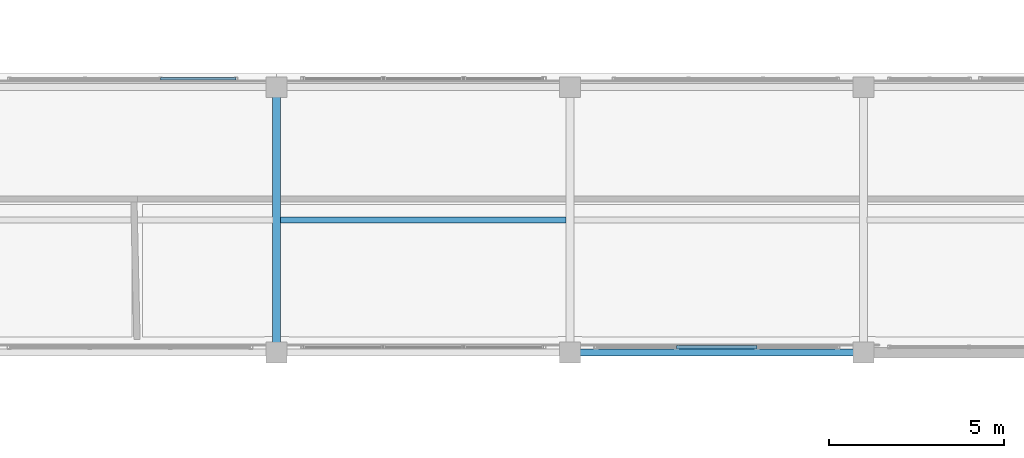
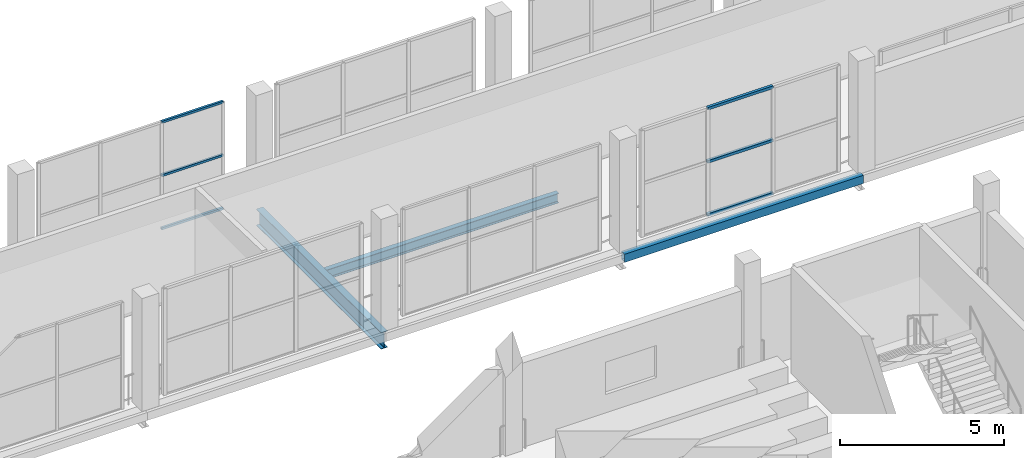
# One storey, part 41 of 151: 6 members, 3 beams, 2 elements without a shape of their own.
"""IFC4 building model written with IfcOpenShell, lengths in metres."""

import ifcopenshell
import ifcopenshell.guid

model = None  # the IFC model being written
_history = None  # IfcOwnerHistory: only IFC2X3 demands one
_inside = {}  # id of a spatial element -> (the spatial element, [elements in it])
_under = {}  # id of a project, library or spatial element -> (it, [spatial elements below it])
_declared = {}  # id of a project -> (the project, [libraries it declares])
_typed = {}  # id of a type object -> (the type object, [elements of that type])
_made_of = {}  # id of a material, layer set ... -> (it, [elements and type objects made of it])


def new_model(schema):
    """Start an empty IFC model of exactly this schema.

    Asked for "IFC4X3", IfcOpenShell would pick the latest addendum, in which some entities
    have other attributes; the version numbers below select the first issue.
    IFC2X3 requires an IfcOwnerHistory on every rooted entity: one is made here for all.
    """
    global model, _history
    if schema == "IFC4X3":
        model = ifcopenshell.file(schema_version=(4, 3, 0, 0))
    else:
        model = ifcopenshell.file(schema=schema)
    _inside.clear()
    _under.clear()
    _declared.clear()
    _typed.clear()
    _made_of.clear()
    _history = None
    if model.schema == "IFC2X3":
        org = make("IfcOrganization", Name="unknown")
        user = make(
            "IfcPersonAndOrganization",
            ThePerson=make("IfcPerson", FamilyName="unknown"),
            TheOrganization=org,
        )
        app = make(
            "IfcApplication",
            ApplicationDeveloper=org,
            Version="unknown",
            ApplicationFullName="unknown",
            ApplicationIdentifier="unknown",
        )
        _history = make(
            "IfcOwnerHistory",
            OwningUser=user,
            OwningApplication=app,
            ChangeAction="ADDED",
            CreationDate=0,
        )
    return model


def make(cls, **values):
    """One entity of the class cls with the attributes given. An attribute that is None is left unset."""
    return model.create_entity(
        cls, **{name: value for name, value in values.items() if value is not None}
    )


def rooted(cls, **values):
    """An entity with a GlobalId (a new one), such as an element, a storey or a relation."""
    return make(cls, GlobalId=ifcopenshell.guid.new(), OwnerHistory=_history, **values)


def si_unit(unit_type, name, prefix=None):
    """IfcSIUnit, for example si_unit("LENGTHUNIT", "METRE", prefix="MILLI")."""
    return make("IfcSIUnit", UnitType=unit_type, Prefix=prefix, Name=name)


def assignment(units):
    """IfcUnitAssignment: the units of a project."""
    return None if units is None else make("IfcUnitAssignment", Units=units)


def point(xyz):
    """IfcCartesianPoint."""
    return None if xyz is None else make("IfcCartesianPoint", Coordinates=xyz)


def direction(xyz):
    """IfcDirection."""
    return None if xyz is None else make("IfcDirection", DirectionRatios=xyz)


def frame(location, z_axis=None, x_axis=None):
    """IfcAxis2Placement3D, a coordinate frame: its origin and axes. An axis left out is left unset."""
    return make(
        "IfcAxis2Placement3D",
        Location=point(location),
        Axis=direction(z_axis),
        RefDirection=direction(x_axis),
    )


def frame_2d(location, x_axis=None):
    """IfcAxis2Placement2D, a coordinate frame in the plane: its origin and x axis."""
    return make(
        "IfcAxis2Placement2D", Location=point(location), RefDirection=direction(x_axis)
    )


def origin():
    """The frame at (0, 0, 0) with its axes left unset."""
    return frame((0.0, 0.0, 0.0))


def origin_2d():
    """The frame at (0, 0) in the plane with its x axis left unset."""
    return frame_2d((0.0, 0.0))


def place(relative_to, where):
    """IfcLocalPlacement: puts the frame where relative to a parent placement (None: the world)."""
    return make(
        "IfcLocalPlacement", PlacementRelTo=relative_to, RelativePlacement=where
    )


def context(
    kind, dimensions, precision=None, world=None, true_north=None, identifier=None
):
    """IfcGeometricRepresentationContext, for example the 3D "Model" context."""
    return make(
        "IfcGeometricRepresentationContext",
        ContextIdentifier=identifier,
        ContextType=kind,
        CoordinateSpaceDimension=dimensions,
        Precision=precision,
        WorldCoordinateSystem=world,
        TrueNorth=true_north,
    )


def subcontext(parent, identifier, kind, view, scale=None):
    """IfcGeometricRepresentationSubContext, for example "Body" below "Model"."""
    return make(
        "IfcGeometricRepresentationSubContext",
        ContextIdentifier=identifier,
        ContextType=kind,
        ParentContext=parent,
        TargetScale=scale,
        TargetView=view,
    )


def project(units=None, contexts=None):
    """IfcProject with its units and contexts."""
    return rooted(
        "IfcProject",
        Name="project",
        RepresentationContexts=contexts,
        UnitsInContext=assignment(units),
    )


def spatial(cls, under=None, at=None, **own):
    """A site, building, storey or space (cls), placed at a placement, below another one or the project."""
    s = rooted(cls, ObjectPlacement=at, **own)
    if under is not None:
        _under.setdefault(under.id(), (under, []))[1].append(s)
    return s


def profile(cls, at=None, kind="AREA", **sizes):
    """A parametric profile (cls). Its sizes go by their IFC names, for example OverallWidth=200.0."""
    return make(cls, ProfileType=kind, Position=at, **sizes)


def hollow_rectangle(**sizes):
    """IfcRectangleHollowProfileDef."""
    return profile("IfcRectangleHollowProfileDef", **sizes)


def i_section(**sizes):
    """IfcIShapeProfileDef."""
    return profile("IfcIShapeProfileDef", **sizes)


def extrude(swept, where, along, depth):
    """IfcExtrudedAreaSolid: the profile swept, set in the frame where, extruded along a direction by depth."""
    return make(
        "IfcExtrudedAreaSolid",
        SweptArea=swept,
        Position=where,
        ExtrudedDirection=direction(along),
        Depth=depth,
    )


def shape(context_of_items, identifier, shape_type, items):
    """IfcShapeRepresentation: the items that make up one representation, for example the "Body"."""
    return make(
        "IfcShapeRepresentation",
        ContextOfItems=context_of_items,
        RepresentationIdentifier=identifier,
        RepresentationType=shape_type,
        Items=items,
    )


def material(Name=None, Category=None):
    """IfcMaterial."""
    return make("IfcMaterial", Name=Name, Category=Category)


def material_profile(
    of_material, cross_section, Name=None, Category=None, Priority=None
):
    """IfcMaterialProfile: a cross section and its material."""
    return make(
        "IfcMaterialProfile",
        Name=Name,
        Material=of_material,
        Profile=cross_section,
        Priority=Priority,
        Category=Category,
    )


def profile_set(profiles, Name=None, composite=None):
    """IfcMaterialProfileSet."""
    return make(
        "IfcMaterialProfileSet",
        Name=Name,
        MaterialProfiles=profiles,
        CompositeProfile=composite,
    )


def made_of(thing, what):
    """Note that an element or type object is made of a material, layer set ...; save() writes the relation."""
    if what is not None:
        _made_of.setdefault(what.id(), (what, []))[1].append(thing)
    return thing


def type_object(cls, material=None, **own):
    """A type object (cls), such as IfcWallType, which elements share."""
    return made_of(rooted(cls, **own), material)


def element(
    cls,
    number,
    at=None,
    inside=None,
    cuts=None,
    type_object=None,
    material=None,
    context=None,
    identifier="Body",
    shape_type=None,
    held_by="IfcProductDefinitionShape",
    body=None,
    shapes=None,
    **own,
):
    """One element of the class cls, such as IfcWall. Its Tag is "e" and its number.

    at: its placement. inside: the storey or other place that contains it. cuts: it is an
    opening in that element (IfcRelVoidsElement). A single representation is given by context,
    identifier, shape_type and body (its items); several are given by shapes. held_by: the class
    of the entity that holds the representations. save() writes the other relations.
    """
    e = rooted(cls, Tag="e%d" % number, ObjectPlacement=at, **own)
    if body is not None:
        shapes = [shape(context, identifier, shape_type, body)]
    if shapes is not None:
        e.Representation = make(held_by, Representations=shapes)
    if inside is not None:
        _inside.setdefault(inside.id(), (inside, []))[1].append(e)
    if cuts is not None:
        rooted(
            "IfcRelVoidsElement", RelatingBuildingElement=cuts, RelatedOpeningElement=e
        )
    if type_object is not None:
        _typed.setdefault(type_object.id(), (type_object, []))[1].append(e)
    return made_of(e, material)


def aggregate(whole, parts):
    """IfcRelAggregates: a whole, such as a stair, and the parts it consists of."""
    return rooted("IfcRelAggregates", RelatingObject=whole, RelatedObjects=parts)


def save(model, path):
    """Write the relations noted so far, then the file.

    IfcRelAggregates (storeys below a building ...), IfcRelContainedInSpatialStructure (elements
    in a storey), IfcRelDefinesByType, IfcRelAssociatesMaterial and IfcRelDeclares: one each for
    every whole, place, type object, material and project.
    """
    for whole, parts in _under.values():
        aggregate(whole, parts)
    for where, things in _inside.values():
        rooted(
            "IfcRelContainedInSpatialStructure",
            RelatedElements=things,
            RelatingStructure=where,
        )
    for kind, things in _typed.values():
        rooted("IfcRelDefinesByType", RelatedObjects=things, RelatingType=kind)
    for what, things in _made_of.values():
        rooted("IfcRelAssociatesMaterial", RelatedObjects=things, RelatingMaterial=what)
    for by, libraries in _declared.values():
        rooted("IfcRelDeclares", RelatingContext=by, RelatedDefinitions=libraries)
    model.write(path)


model = new_model("IFC4")

# Units and contexts
model_context = context("Model", 3, precision=1e-05, world=origin(), true_north=direction((0.0, 1.0)))
body_context = subcontext(model_context, "Body", "Model", "MODEL_VIEW")
ifc_project = project(units=[si_unit("LENGTHUNIT", "METRE"), si_unit("AREAUNIT", "SQUARE_METRE"), si_unit("VOLUMEUNIT", "CUBIC_METRE"), si_unit("PLANEANGLEUNIT", "RADIAN"), si_unit("MASSUNIT", "GRAM", prefix="KILO")], contexts=[model_context])

# Site, building, storey
site_placement = place(None, origin())
site = spatial("IfcSite", under=ifc_project, at=site_placement, CompositionType="ELEMENT")
building_placement = place(site_placement, origin())
building = spatial("IfcBuilding", under=site, at=building_placement, Name="Zuvorla Pavilion Media Centre", CompositionType="ELEMENT")
storey_placement = place(building_placement, frame((0.0, 0.0, 13.800048828125)))
storey = spatial("IfcBuildingStorey", under=building, at=storey_placement, Name="L03", CompositionType="ELEMENT", Elevation=13.800048828125)

# Beams
ifc_material_1 = material(Name="Steel S355", Category="steel")
ifc_material_profile_1 = material_profile(ifc_material_1, hollow_rectangle(XDim=0.199951171875, YDim=0.300048828125, WallThickness=0.012451171875, at=origin_2d()), Name="RHS 300x200x12.5")
ifc_profile_set_1 = profile_set([ifc_material_profile_1], Name="Steel S355")
beam_type_1 = type_object("IfcBeamType", Name="BM-SP-RHS300", PredefinedType="SPANDREL", material=ifc_profile_set_1)
beam_1_placement = place(storey_placement, frame((100.39990234375, 44.0, -0.407958984375), z_axis=(1.0, 0.0, 0.0), x_axis=(0.0, 1.0, 0.0)))
element("IfcBeam", 1, at=beam_1_placement, inside=storey, type_object=beam_type_1, Name="L03 spandrel SP01 1084", PredefinedType="SPANDREL", context=body_context, shape_type="SweptSolid", body=[
    extrude(hollow_rectangle(XDim=0.199951171875, YDim=0.300048828125, WallThickness=0.012451171875, at=origin_2d()), origin(), (0.0, 0.0, 1.0), 8.400146484375),
])
ifc_material_profile_2 = material_profile(ifc_material_1, i_section(OverallWidth=0.172119140625, OverallDepth=0.35791015625, WebThickness=0.008056640625, FlangeThickness=0.012939453125, FilletRadius=0.01025390625, at=origin_2d()), Name="UB 356x171x57")
ifc_profile_set_2 = profile_set([ifc_material_profile_2], Name="Steel S355")
beam_type_2 = type_object("IfcBeamType", Name="BM-UB356", PredefinedType="JOIST", material=ifc_profile_set_2)
beam_2_placement = place(storey_placement, frame((92.109619140625, 47.800048828125, -0.43701171875), z_axis=(1.0, 0.0, 0.0), x_axis=(0.0, 1.0, 0.0)))
element("IfcBeam", 2, at=beam_2_placement, inside=storey, type_object=beam_type_2, Name="L03 joist J03 1271", PredefinedType="JOIST", context=body_context, shape_type="SweptSolid", body=[
    extrude(i_section(OverallWidth=0.172119140625, OverallDepth=0.35791015625, WebThickness=0.008056640625, FlangeThickness=0.012939453125, FilletRadius=0.01025390625, at=origin_2d()), origin(), (0.0, 0.0, 1.0), 8.180908203125),
])
ifc_material_profile_3 = material_profile(ifc_material_1, i_section(OverallWidth=0.22900390625, OverallDepth=0.6123046875, WebThickness=0.011962890625, FlangeThickness=0.01953125, FilletRadius=0.0126953125, at=origin_2d()), Name="UB 610x229x125")
ifc_profile_set_3 = profile_set([ifc_material_profile_3], Name="Steel S355")
beam_type_3 = type_object("IfcBeamType", Name="BM-UB610", PredefinedType="BEAM", material=ifc_profile_set_3)
beam_3_placement = place(storey_placement, frame((92.0, 44.0, -0.564208984375), z_axis=(0.0, 1.0, 0.0), x_axis=(-1.0, 0.0, 0.0)))
element("IfcBeam", 3, at=beam_3_placement, inside=storey, type_object=beam_type_3, Name="L03 beam B07 1198", PredefinedType="BEAM", context=body_context, shape_type="SweptSolid", body=[
    extrude(i_section(OverallWidth=0.22900390625, OverallDepth=0.6123046875, WebThickness=0.011962890625, FlangeThickness=0.01953125, FilletRadius=0.0126953125, at=origin_2d()), origin(), (0.0, 0.0, 1.0), 7.60009765625),
])

# Curtain wall, members
ifc_material_2 = material(Name="Unitised anodised aluminium and solar glass curtain wall", Category="aluminium")
curtain_wall_type_1 = type_object("IfcCurtainWallType", Name="CW-SYS-70", PredefinedType="USERDEFINED", material=ifc_material_2)
curtain_wall_1_placement = place(storey_placement, origin())
curtain_wall_1 = element("IfcCurtainWall", 4, at=curtain_wall_1_placement, inside=storey, type_object=curtain_wall_type_1, Name="L03 curtain wall CW70 141", ObjectType="CURTAIN WALL", PredefinedType="USERDEFINED")
ifc_material_3 = material(Name="Anodised aluminium 6063-T6", Category="aluminium")
ifc_material_profile_4 = material_profile(ifc_material_3, hollow_rectangle(XDim=0.10009765625, YDim=0.10009765625, WallThickness=0.00439453125, at=origin_2d()), Name="ALU TRAN 100x100")
ifc_profile_set_4 = profile_set([ifc_material_profile_4], Name="Anodised aluminium 6063-T6")
member_type_1 = type_object("IfcMemberType", Name="CW-TRAN-100", PredefinedType="USERDEFINED", material=ifc_profile_set_4)
member_1_placement = place(storey_placement, frame((103.447998046875, 44.159912109375, 0.0), z_axis=(1.0, 0.0, 0.0), x_axis=(0.0, 1.0, 0.0)))
member_1 = element("IfcMember", 5, at=member_1_placement, type_object=member_type_1, Name="CW70 transom 2.1", ObjectType="TRANSOM", PredefinedType="USERDEFINED", context=body_context, shape_type="SweptSolid", body=[
    extrude(hollow_rectangle(XDim=0.10009765625, YDim=0.10009765625, WallThickness=0.00439453125, at=origin_2d()), origin(), (0.0, 0.0, 1.0), 2.303955078125),
])
member_2_placement = place(storey_placement, frame((103.447998046875, 44.159912109375, 1.97998046875), z_axis=(1.0, 0.0, 0.0), x_axis=(0.0, 1.0, 0.0)))
member_2 = element("IfcMember", 6, at=member_2_placement, type_object=member_type_1, Name="CW70 transom 2.2", ObjectType="TRANSOM", PredefinedType="USERDEFINED", context=body_context, shape_type="SweptSolid", body=[
    extrude(hollow_rectangle(XDim=0.10009765625, YDim=0.10009765625, WallThickness=0.00439453125, at=origin_2d()), origin(), (0.0, 0.0, 1.0), 2.303955078125),
])
member_3_placement = place(storey_placement, frame((103.447998046875, 44.159912109375, 3.9599609375), z_axis=(1.0, 0.0, 0.0), x_axis=(0.0, 1.0, 0.0)))
member_3 = element("IfcMember", 7, at=member_3_placement, type_object=member_type_1, Name="CW70 transom 2.3", ObjectType="TRANSOM", PredefinedType="USERDEFINED", context=body_context, shape_type="SweptSolid", body=[
    extrude(hollow_rectangle(XDim=0.10009765625, YDim=0.10009765625, WallThickness=0.00439453125, at=origin_2d()), origin(), (0.0, 0.0, 1.0), 2.303955078125),
])
aggregate(curtain_wall_1, [member_1, member_2, member_3])

curtain_wall_type_2 = type_object("IfcCurtainWallType", Name="CW-SYS-80", PredefinedType="USERDEFINED", material=ifc_material_2)
curtain_wall_2_placement = place(storey_placement, origin())
curtain_wall_2 = element("IfcCurtainWall", 8, at=curtain_wall_2_placement, inside=storey, type_object=curtain_wall_type_2, Name="L03 curtain wall CW80 165", ObjectType="CURTAIN WALL", PredefinedType="USERDEFINED")
ifc_material_profile_5 = material_profile(ifc_material_3, hollow_rectangle(XDim=0.080078125, YDim=0.080078125, WallThickness=0.00390625, at=origin_2d()), Name="ALU TRAN 80x80")
ifc_profile_set_5 = profile_set([ifc_material_profile_5], Name="Anodised aluminium 6063-T6")
member_type_2 = type_object("IfcMemberType", Name="CW-TRAN-80", PredefinedType="USERDEFINED", material=ifc_profile_set_5)
member_4_placement = place(storey_placement, frame((88.6748046875, 51.840087890625, 0.0), z_axis=(1.0, 0.0, 0.0), x_axis=(0.0, 1.0, 0.0)))
member_4 = element("IfcMember", 9, at=member_4_placement, type_object=member_type_2, Name="CW80 transom 3.1", ObjectType="TRANSOM", PredefinedType="USERDEFINED", context=body_context, shape_type="SweptSolid", body=[
    extrude(hollow_rectangle(XDim=0.080078125, YDim=0.080078125, WallThickness=0.00390625, at=origin_2d()), origin(), (0.0, 0.0, 1.0), 2.165283203125),
])
member_5_placement = place(storey_placement, frame((88.6748046875, 51.840087890625, 1.97998046875), z_axis=(1.0, 0.0, 0.0), x_axis=(0.0, 1.0, 0.0)))
member_5 = element("IfcMember", 10, at=member_5_placement, type_object=member_type_2, Name="CW80 transom 3.2", ObjectType="TRANSOM", PredefinedType="USERDEFINED", context=body_context, shape_type="SweptSolid", body=[
    extrude(hollow_rectangle(XDim=0.080078125, YDim=0.080078125, WallThickness=0.00390625, at=origin_2d()), origin(), (0.0, 0.0, 1.0), 2.165283203125),
])
member_6_placement = place(storey_placement, frame((88.6748046875, 51.840087890625, 3.9599609375), z_axis=(1.0, 0.0, 0.0), x_axis=(0.0, 1.0, 0.0)))
member_6 = element("IfcMember", 11, at=member_6_placement, type_object=member_type_2, Name="CW80 transom 3.3", ObjectType="TRANSOM", PredefinedType="USERDEFINED", context=body_context, shape_type="SweptSolid", body=[
    extrude(hollow_rectangle(XDim=0.080078125, YDim=0.080078125, WallThickness=0.00390625, at=origin_2d()), origin(), (0.0, 0.0, 1.0), 2.165283203125),
])
aggregate(curtain_wall_2, [member_4, member_5, member_6])

save(model, "model.ifc")
